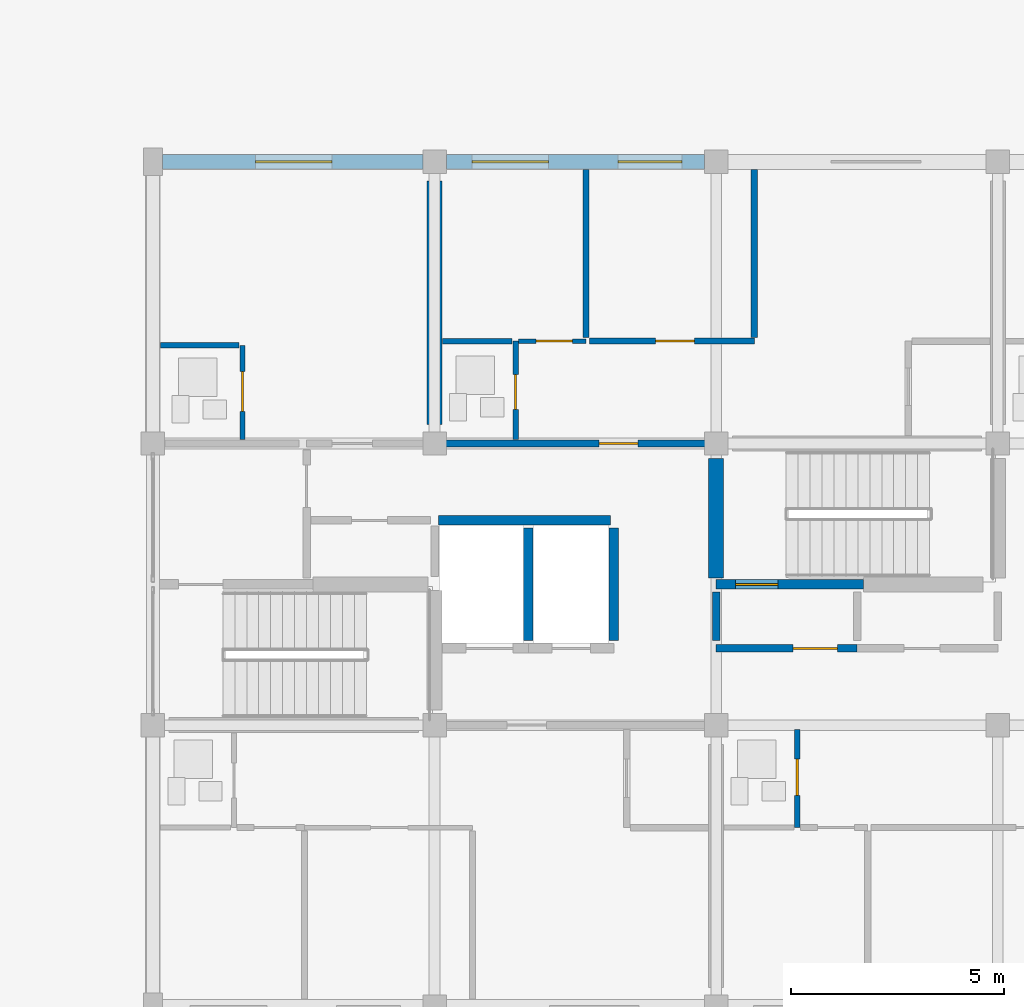
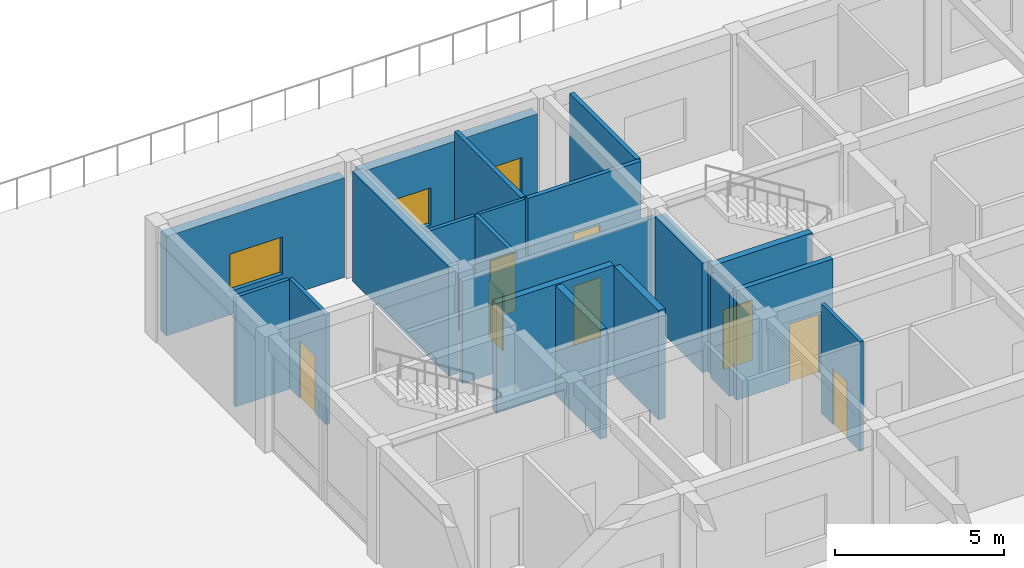
# One storey, part 76 of 92: 20 walls, 8 doors, 3 windows, 11 openings.
"""IFC4 building model written with IfcOpenShell, lengths in metres."""

from ifc_helpers import new_model, si_unit, direction, frame, frame_2d, origin, place, context, subcontext, project, spatial, rectangle, extrude, material, layer, layer_set, type_object, element, fill, save


model = new_model("IFC4")

# Units and contexts
model_context = context("Model", 3, precision=1e-05, world=origin(), true_north=direction((0.0, 1.0)))
body_context = subcontext(model_context, "Body", "Model", "MODEL_VIEW")
ifc_project = project(units=[si_unit("LENGTHUNIT", "METRE"), si_unit("AREAUNIT", "SQUARE_METRE"), si_unit("VOLUMEUNIT", "CUBIC_METRE"), si_unit("PLANEANGLEUNIT", "RADIAN"), si_unit("MASSUNIT", "GRAM", prefix="KILO")], contexts=[model_context])

# Site, building, storey
site_placement = place(None, origin())
site = spatial("IfcSite", under=ifc_project, at=site_placement, CompositionType="ELEMENT")
building_placement = place(site_placement, origin())
building = spatial("IfcBuilding", under=site, at=building_placement, Name="Kernevlak Ridge Housing Community", CompositionType="ELEMENT")
storey_placement = place(building_placement, frame((0.0, 0.0, 4.199951171875)))
storey = spatial("IfcBuildingStorey", under=building, at=storey_placement, Name="L01", CompositionType="ELEMENT", Elevation=4.199951171875)

# Wall, opening, window
ifc_material_1 = material(Name="Concrete block masonry M10", Category="masonry")
ifc_layer_1 = layer(ifc_material_1, 0.340087890625, Name="Concrete block masonry M10")
ifc_layer_set_1 = layer_set([ifc_layer_1], Name="Concrete block masonry M10")
wall_type_1 = type_object("IfcWallType", Name="EW-04", PredefinedType="STANDARD", material=ifc_layer_set_1)
wall_1_placement = place(storey_placement, frame((119.625, 102.39990234375, 0.0), z_axis=(0.0, 0.0, 1.0), x_axis=(1.0, 0.0, 0.0)))
wall_1 = element("IfcWall", 1, at=wall_1_placement, inside=storey, type_object=wall_type_1, Name="Exterior wall EW-04 L01 314", PredefinedType="STANDARD", context=body_context, shape_type="SweptSolid", body=[
    extrude(rectangle(XDim=6.10009765625, YDim=0.340087890625, at=frame_2d((3.050048828125, 0.0))), origin(), (0.0, 0.0, 1.0), 3.60009765625),
])
opening_1_placement = place(wall_1_placement, frame((2.175048828125, 0.0, 0.85009765625)))
opening_1 = element("IfcOpeningElement", 2, at=opening_1_placement, cuts=wall_1, Name="Opening WT-03", PredefinedType="OPENING", context=body_context, shape_type="SweptSolid", body=[
    extrude(rectangle(XDim=1.800048828125, YDim=1.35009765625, at=frame_2d((0.89990234375, 0.675048828125))), frame((0.0, 0.179931640625, 0.0), z_axis=(0.0, -1.0, 0.0), x_axis=(1.0, 0.0, 0.0)), (0.0, 0.0, 1.0), 0.360107421875),
])
ifc_material_2 = material(Name="Aluminium EN AW-6060 anodised and laminated glass", Category="aluminium")
window_type_1 = type_object("IfcWindowType", Name="WT-03", PartitioningType="SINGLE_PANEL", PredefinedType="WINDOW", material=ifc_material_2)
window_1_placement = place(opening_1_placement, origin())
window_1 = element("IfcWindow", 3, at=window_1_placement, inside=storey, type_object=window_type_1, Name="Window WT-03 L01 242", OverallHeight=1.35009765625, OverallWidth=1.800048828125, PartitioningType="SINGLE_PANEL", PredefinedType="WINDOW", context=body_context, shape_type="SweptSolid", body=[
    extrude(rectangle(XDim=1.800048828125, YDim=1.35009765625, at=frame_2d((0.89990234375, 0.675048828125))), frame((0.0, 0.030029296875, 0.0), z_axis=(0.0, -1.0, 0.0), x_axis=(1.0, 0.0, 0.0)), (0.0, 0.0, 1.0), 0.06005859375),
])
fill(opening_1, window_1)

# Wall, openings, windows
wall_2_placement = place(storey_placement, frame((126.27490234375, 102.39990234375, 0.0), z_axis=(0.0, 0.0, 1.0), x_axis=(1.0, 0.0, 0.0)))
wall_2 = element("IfcWall", 4, at=wall_2_placement, inside=storey, type_object=wall_type_1, Name="Exterior wall EW-04 L01 315", PredefinedType="STANDARD", context=body_context, shape_type="SweptSolid", body=[
    extrude(rectangle(XDim=6.050048828125, YDim=0.340087890625, at=frame_2d((3.02490234375, 0.0))), origin(), (0.0, 0.0, 1.0), 3.60009765625),
])
opening_2_placement = place(wall_2_placement, frame((0.60009765625, 0.0, 0.85009765625)))
opening_2 = element("IfcOpeningElement", 5, at=opening_2_placement, cuts=wall_2, Name="Opening WT-03", PredefinedType="OPENING", context=body_context, shape_type="SweptSolid", body=[
    extrude(rectangle(XDim=1.800048828125, YDim=1.35009765625, at=frame_2d((0.89990234375, 0.675048828125))), frame((0.0, 0.179931640625, 0.0), z_axis=(0.0, -1.0, 0.0), x_axis=(1.0, 0.0, 0.0)), (0.0, 0.0, 1.0), 0.360107421875),
])
opening_3_placement = place(wall_2_placement, frame((4.02490234375, 0.0, 0.85009765625)))
opening_3 = element("IfcOpeningElement", 6, at=opening_3_placement, cuts=wall_2, Name="Opening WT-02", PredefinedType="OPENING", context=body_context, shape_type="SweptSolid", body=[
    extrude(rectangle(XDim=1.5, YDim=1.35009765625, at=frame_2d((0.75, 0.675048828125))), frame((0.0, 0.179931640625, 0.0), z_axis=(0.0, -1.0, 0.0), x_axis=(1.0, 0.0, 0.0)), (0.0, 0.0, 1.0), 0.360107421875),
])
window_type_2 = type_object("IfcWindowType", Name="WT-02", PartitioningType="SINGLE_PANEL", PredefinedType="WINDOW", material=ifc_material_2)
window_2_placement = place(opening_3_placement, origin())
window_2 = element("IfcWindow", 7, at=window_2_placement, inside=storey, type_object=window_type_2, Name="Window WT-02 L01 244", OverallHeight=1.35009765625, OverallWidth=1.5, PartitioningType="SINGLE_PANEL", PredefinedType="WINDOW", context=body_context, shape_type="SweptSolid", body=[
    extrude(rectangle(XDim=1.5, YDim=1.35009765625, at=frame_2d((0.75, 0.675048828125))), frame((0.0, 0.030029296875, 0.0), z_axis=(0.0, -1.0, 0.0), x_axis=(1.0, 0.0, 0.0)), (0.0, 0.0, 1.0), 0.06005859375),
])
fill(opening_3, window_2)
window_3_placement = place(opening_2_placement, origin())
window_3 = element("IfcWindow", 8, at=window_3_placement, inside=storey, type_object=window_type_1, Name="Window WT-03 L01 243", OverallHeight=1.35009765625, OverallWidth=1.800048828125, PartitioningType="SINGLE_PANEL", PredefinedType="WINDOW", context=body_context, shape_type="SweptSolid", body=[
    extrude(rectangle(XDim=1.800048828125, YDim=1.35009765625, at=frame_2d((0.89990234375, 0.675048828125))), frame((0.0, 0.030029296875, 0.0), z_axis=(0.0, -1.0, 0.0), x_axis=(1.0, 0.0, 0.0)), (0.0, 0.0, 1.0), 0.06005859375),
])
fill(opening_2, window_3)

# Walls
ifc_material_3 = material(Name="Concrete C35/45", Category="concrete")
ifc_layer_2 = layer(ifc_material_3, 0.22509765625, Name="Concrete C35/45")
ifc_layer_set_2 = layer_set([ifc_layer_2], Name="Concrete C35/45")
wall_type_2 = type_object("IfcWallType", Name="PW-01", PredefinedType="STANDARD", material=ifc_layer_set_2)
wall_3_placement = place(storey_placement, frame((126.097412109375, 94.0, 0.0), z_axis=(0.0, 0.0, 1.0), x_axis=(1.0, 0.0, 0.0)))
element("IfcWall", 9, at=wall_3_placement, inside=storey, type_object=wall_type_2, Name="Interior wall PW-01 WAL-INT-L01-1214", PredefinedType="STANDARD", context=body_context, shape_type="SweptSolid", body=[
    extrude(rectangle(XDim=4.022705078125, YDim=0.22509765625, at=frame_2d((2.01123046875, 0.0))), origin(), (0.0, 0.0, 1.0), 3.9599609375),
])
for number, where, z_axis, x_axis, name in (
    (10, (128.199951171875, 91.179931640625, 0.0), (0.0, 0.0, 1.0), (0.0, 1.0, 0.0), "Interior wall PW-01 WAL-INT-L01-1216"),
    (11, (130.199951171875, 91.179931640625, 0.0), (0.0, 0.0, 1.0), (0.0, 1.0, 0.0), "Interior wall PW-01 WAL-INT-L01-1217"),
):
    element("IfcWall", number, at=place(storey_placement, frame(where, z_axis=z_axis, x_axis=x_axis)), inside=storey, type_object=wall_type_2, Name=name, PredefinedType="STANDARD", context=body_context, shape_type="SweptSolid", body=[
        extrude(rectangle(XDim=2.64013671875, YDim=0.22509765625, at=frame_2d((1.320068359375, 0.0))), origin(), (0.0, 0.0, 1.0), 3.9599609375),
    ])

# Wall, opening, door
wall_4_placement = place(storey_placement, frame((132.60009765625, 92.5, 0.0), z_axis=(0.0, 0.0, 1.0), x_axis=(1.0, 0.0, 0.0)))
wall_4 = element("IfcWall", 12, at=wall_4_placement, inside=storey, type_object=wall_type_2, Name="Interior wall PW-01 WAL-INT-L01-1218", PredefinedType="STANDARD", context=body_context, shape_type="SweptSolid", body=[
    extrude(rectangle(XDim=3.449951171875, YDim=0.22509765625, at=frame_2d((1.72509765625, 0.0))), origin(), (0.0, 0.0, 1.0), 3.9599609375),
])
opening_4_placement = place(wall_4_placement, frame((0.449951171875, 0.0, 0.0)))
opening_4 = element("IfcOpeningElement", 13, at=opening_4_placement, cuts=wall_4, Name="Opening D615", PredefinedType="OPENING", context=body_context, shape_type="SweptSolid", body=[
    extrude(rectangle(XDim=1.0, YDim=2.159912109375, at=frame_2d((0.5, 1.080078125))), frame((0.0, 0.12255859375, 0.0), z_axis=(0.0, -1.0, 0.0), x_axis=(1.0, 0.0, 0.0)), (0.0, 0.0, 1.0), 0.2451171875),
])
ifc_material_4 = material(Name="Fire-rated sheet steel leaf", Category="steel")
door_type_1 = type_object("IfcDoorType", Name="DT-15", OperationType="NOTDEFINED", PredefinedType="DOOR", material=ifc_material_4)
door_1_placement = place(opening_4_placement, origin())
door_1 = element("IfcDoor", 14, at=door_1_placement, inside=storey, type_object=door_type_1, Name="Block B Stair 2 fire door D615", OperationType="SINGLE_SWING_LEFT", OverallHeight=2.159912109375, OverallWidth=1.0, PredefinedType="DOOR", context=body_context, shape_type="SweptSolid", body=[
    extrude(rectangle(XDim=1.0, YDim=2.159912109375, at=frame_2d((0.5, 1.080078125))), frame((0.0, 0.02490234375, 0.0), z_axis=(0.0, -1.0, 0.0), x_axis=(1.0, 0.0, 0.0)), (0.0, 0.0, 1.0), 0.050048828125),
])
fill(opening_4, door_1)

ifc_layer_3 = layer(ifc_material_1, 0.175048828125, Name="Concrete block masonry M10")
ifc_layer_set_3 = layer_set([ifc_layer_3], Name="Concrete block masonry M10")
wall_type_3 = type_object("IfcWallType", Name="PW-02", PredefinedType="PARTITIONING", material=ifc_layer_set_3)
wall_5_placement = place(storey_placement, frame((132.60009765625, 91.0, 0.0), z_axis=(0.0, 0.0, 1.0), x_axis=(1.0, 0.0, 0.0)))
wall_5 = element("IfcWall", 15, at=wall_5_placement, inside=storey, type_object=wall_type_3, Name="Interior wall PW-02 WAL-INT-L01-1219", PredefinedType="PARTITIONING", context=body_context, shape_type="SweptSolid", body=[
    extrude(rectangle(XDim=3.2998046875, YDim=0.175048828125, at=frame_2d((1.64990234375, 0.0))), origin(), (0.0, 0.0, 1.0), 3.9599609375),
])
opening_5_placement = place(wall_5_placement, frame((1.800048828125, 0.0, 0.0)))
opening_5 = element("IfcOpeningElement", 16, at=opening_5_placement, cuts=wall_5, Name="Opening D616", PredefinedType="OPENING", context=body_context, shape_type="SweptSolid", body=[
    extrude(rectangle(XDim=1.0400390625, YDim=2.1201171875, at=frame_2d((0.52001953125, 1.06005859375))), frame((0.0, 0.097412109375, 0.0), z_axis=(0.0, -1.0, 0.0), x_axis=(1.0, 0.0, 0.0)), (0.0, 0.0, 1.0), 0.195068359375),
])
door_type_2 = type_object("IfcDoorType", Name="DT-16", OperationType="NOTDEFINED", PredefinedType="DOOR", material=ifc_material_4)
door_2_placement = place(opening_5_placement, origin())
door_2 = element("IfcDoor", 17, at=door_2_placement, inside=storey, type_object=door_type_2, Name="Block B Firefighting lobby 2 door D616", OperationType="SINGLE_SWING_RIGHT", OverallHeight=2.1201171875, OverallWidth=1.0400390625, PredefinedType="DOOR", context=body_context, shape_type="SweptSolid", body=[
    extrude(rectangle(XDim=1.0400390625, YDim=2.1201171875, at=frame_2d((0.52001953125, 1.06005859375))), frame((0.0, 0.02490234375, 0.0), z_axis=(0.0, -1.0, 0.0), x_axis=(1.0, 0.0, 0.0)), (0.0, 0.0, 1.0), 0.050048828125),
])
fill(opening_5, door_2)

# Wall
wall_6_placement = place(storey_placement, frame((132.60009765625, 91.179931640625, 0.0), z_axis=(0.0, 0.0, 1.0), x_axis=(0.0, 1.0, 0.0)))
element("IfcWall", 18, at=wall_6_placement, inside=storey, type_object=wall_type_3, Name="Interior wall PW-02 WAL-INT-L01-1221", PredefinedType="PARTITIONING", context=body_context, shape_type="SweptSolid", body=[
    extrude(rectangle(XDim=1.14013671875, YDim=0.175048828125, at=frame_2d((0.570068359375, 0.0))), origin(), (0.0, 0.0, 1.0), 3.75),
])

# Wall, opening, door
wall_7_placement = place(storey_placement, frame((126.0, 95.800048828125, 0.0), z_axis=(0.0, 0.0, 1.0), x_axis=(1.0, 0.0, 0.0)))
wall_7 = element("IfcWall", 19, at=wall_7_placement, inside=storey, type_object=wall_type_3, Name="Interior wall PW-02 WAL-INT-L01-1251", PredefinedType="PARTITIONING", context=body_context, shape_type="SweptSolid", body=[
    extrude(rectangle(XDim=6.60009765625, YDim=0.175048828125, at=frame_2d((3.300048828125, 0.0))), origin(), (0.0, 0.0, 1.0), 3.699951171875),
])
opening_6_placement = place(wall_7_placement, frame((3.85009765625, 0.0, 0.0)))
opening_6 = element("IfcOpeningElement", 20, at=opening_6_placement, cuts=wall_7, Name="Opening D632", PredefinedType="OPENING", context=body_context, shape_type="SweptSolid", body=[
    extrude(rectangle(XDim=0.919921875, YDim=2.139892578125, at=frame_2d((0.4599609375, 1.06982421875))), frame((0.0, 0.097412109375, 0.0), z_axis=(0.0, -1.0, 0.0), x_axis=(1.0, 0.0, 0.0)), (0.0, 0.0, 1.0), 0.195068359375),
])
ifc_material_5 = material(Name="Hardwood timber solid-core fire leaf", Category="wood")
door_type_3 = type_object("IfcDoorType", Name="DT-20", OperationType="NOTDEFINED", PredefinedType="DOOR", material=ifc_material_5)
door_3_placement = place(opening_6_placement, origin())
door_3 = element("IfcDoor", 21, at=door_3_placement, inside=storey, type_object=door_type_3, Name="Flat B0122 entrance fire door D632", OperationType="SINGLE_SWING_RIGHT", OverallHeight=2.139892578125, OverallWidth=0.919921875, PredefinedType="DOOR", context=body_context, shape_type="SweptSolid", body=[
    extrude(rectangle(XDim=0.919921875, YDim=2.139892578125, at=frame_2d((0.4599609375, 1.06982421875))), frame((0.0, 0.02490234375, 0.0), z_axis=(0.0, -1.0, 0.0), x_axis=(1.0, 0.0, 0.0)), (0.0, 0.0, 1.0), 0.050048828125),
])
fill(opening_6, door_3)

# Wall
ifc_layer_4 = layer(ifc_material_1, 0.14501953125, Name="Concrete block masonry M10")
ifc_layer_set_4 = layer_set([ifc_layer_4], Name="Concrete block masonry M10")
wall_type_4 = type_object("IfcWallType", Name="PW-03", PredefinedType="PARTITIONING", material=ifc_layer_set_4)
wall_8_placement = place(storey_placement, frame((129.550048828125, 98.280029296875, 0.0), z_axis=(0.0, 0.0, 1.0), x_axis=(0.0, 1.0, 0.0)))
element("IfcWall", 22, at=wall_8_placement, inside=storey, type_object=wall_type_4, Name="Interior wall PW-03 WAL-INT-L01-1257", PredefinedType="PARTITIONING", context=body_context, shape_type="SweptSolid", body=[
    extrude(rectangle(XDim=3.93994140625, YDim=0.14501953125, at=frame_2d((1.969970703125, 0.0))), origin(), (0.0, 0.0, 1.0), 3.9599609375),
])

# Wall, opening, door
wall_9_placement = place(storey_placement, frame((129.632568359375, 98.199951171875, 0.0), z_axis=(0.0, 0.0, 1.0), x_axis=(1.0, 0.0, 0.0)))
wall_9 = element("IfcWall", 23, at=wall_9_placement, inside=storey, type_object=wall_type_4, Name="Interior wall PW-03 WAL-INT-L01-1258", PredefinedType="PARTITIONING", context=body_context, shape_type="SweptSolid", body=[
    extrude(rectangle(XDim=3.859375, YDim=0.14501953125, at=frame_2d((1.9296875, 0.0))), origin(), (0.0, 0.0, 1.0), 3.9599609375),
])
opening_7_placement = place(wall_9_placement, frame((1.5458984375, 0.0, 0.0)))
opening_7 = element("IfcOpeningElement", 24, at=opening_7_placement, cuts=wall_9, Name="Opening D636", PredefinedType="OPENING", context=body_context, shape_type="SweptSolid", body=[
    extrude(rectangle(XDim=0.909912109375, YDim=2.139892578125, at=frame_2d((0.455078125, 1.06982421875))), frame((0.0, 0.08251953125, 0.0), z_axis=(0.0, -1.0, 0.0), x_axis=(1.0, 0.0, 0.0)), (0.0, 0.0, 1.0), 0.1650390625),
])
ifc_material_6 = material(Name="Hardwood timber leaf", Category="wood")
door_type_4 = type_object("IfcDoorType", Name="DT-31", OperationType="NOTDEFINED", PredefinedType="DOOR", material=ifc_material_6)
door_4_placement = place(opening_7_placement, origin())
door_4 = element("IfcDoor", 25, at=door_4_placement, inside=storey, type_object=door_type_4, Name="Flat B0122 bedroom door D636", OperationType="SINGLE_SWING_RIGHT", OverallHeight=2.139892578125, OverallWidth=0.909912109375, PredefinedType="DOOR", context=body_context, shape_type="SweptSolid", body=[
    extrude(rectangle(XDim=0.909912109375, YDim=2.139892578125, at=frame_2d((0.455078125, 1.06982421875))), frame((0.0, 0.02490234375, 0.0), z_axis=(0.0, -1.0, 0.0), x_axis=(1.0, 0.0, 0.0)), (0.0, 0.0, 1.0), 0.050048828125),
])
fill(opening_7, door_4)

# Wall
wall_10_placement = place(storey_placement, frame((133.491943359375, 98.282470703125, 0.0), z_axis=(0.0, 0.0, 1.0), x_axis=(0.0, 1.0, 0.0)))
element("IfcWall", 26, at=wall_10_placement, inside=storey, type_object=wall_type_4, Name="Interior wall PW-03 WAL-INT-L01-1259", PredefinedType="PARTITIONING", context=body_context, shape_type="SweptSolid", body=[
    extrude(rectangle(XDim=3.9375, YDim=0.14501953125, at=frame_2d((1.96875, 0.0))), origin(), (0.0, 0.0, 1.0), 3.9599609375),
])

# Wall, opening, door
ifc_material_7 = material(Name="Gypsum plasterboard EN 520", Category="gypsum")
ifc_layer_5 = layer(ifc_material_7, 0.125, Name="Gypsum plasterboard EN 520")
ifc_layer_set_5 = layer_set([ifc_layer_5], Name="Gypsum plasterboard EN 520")
wall_type_5 = type_object("IfcWallType", Name="PW-04", PredefinedType="PARTITIONING", material=ifc_layer_set_5)
wall_11_placement = place(storey_placement, frame((134.5, 89.1025390625, 0.0), z_axis=(0.0, 0.0, 1.0), x_axis=(0.0, -1.0, 0.0)))
wall_11 = element("IfcWall", 27, at=wall_11_placement, inside=storey, type_object=wall_type_5, Name="Interior wall PW-04 WAL-INT-L01-1239", PredefinedType="PARTITIONING", context=body_context, shape_type="SweptSolid", body=[
    extrude(rectangle(XDim=2.302490234375, YDim=0.125, at=frame_2d((1.1513671875, 0.0))), origin(), (0.0, 0.0, 1.0), 3.9599609375),
])
opening_8_placement = place(wall_11_placement, frame((0.699951171875, 0.0, 0.0)))
opening_8 = element("IfcOpeningElement", 28, at=opening_8_placement, cuts=wall_11, Name="Opening D626", PredefinedType="OPENING", context=body_context, shape_type="SweptSolid", body=[
    extrude(rectangle(XDim=0.85009765625, YDim=2.0400390625, at=frame_2d((0.425048828125, 1.02001953125))), frame((0.0, 0.072509765625, 0.0), z_axis=(0.0, -1.0, 0.0), x_axis=(1.0, 0.0, 0.0)), (0.0, 0.0, 1.0), 0.14501953125),
])
ifc_material_8 = material(Name="Hardwood timber moisture-resistant leaf", Category="wood")
door_type_5 = type_object("IfcDoorType", Name="DT-04", OperationType="NOTDEFINED", PredefinedType="DOOR", material=ifc_material_8)
door_5_placement = place(opening_8_placement, origin())
door_5 = element("IfcDoor", 29, at=door_5_placement, inside=storey, type_object=door_type_5, Name="Flat B0112 bathroom door D626", OperationType="SINGLE_SWING_RIGHT", OverallHeight=2.0400390625, OverallWidth=0.85009765625, PredefinedType="DOOR", context=body_context, shape_type="SweptSolid", body=[
    extrude(rectangle(XDim=0.85009765625, YDim=2.0400390625, at=frame_2d((0.425048828125, 1.02001953125))), frame((0.0, 0.02490234375, 0.0), z_axis=(0.0, -1.0, 0.0), x_axis=(1.0, 0.0, 0.0)), (0.0, 0.0, 1.0), 0.050048828125),
])
fill(opening_8, door_5)

wall_12_placement = place(storey_placement, frame((121.5, 95.8974609375, 0.0), z_axis=(0.0, 0.0, 1.0), x_axis=(0.0, 1.0, 0.0)))
wall_12 = element("IfcWall", 30, at=wall_12_placement, inside=storey, type_object=wall_type_5, Name="Interior wall PW-04 WAL-INT-L01-1249", PredefinedType="PARTITIONING", context=body_context, shape_type="SweptSolid", body=[
    extrude(rectangle(XDim=2.20263671875, YDim=0.125, at=frame_2d((1.101318359375, 0.0))), origin(), (0.0, 0.0, 1.0), 3.9599609375),
])
opening_9_placement = place(wall_12_placement, frame((0.64990234375, 0.0, 0.0)))
opening_9 = element("IfcOpeningElement", 31, at=opening_9_placement, cuts=wall_12, Name="Opening D631", PredefinedType="OPENING", context=body_context, shape_type="SweptSolid", body=[
    extrude(rectangle(XDim=0.93994140625, YDim=2.080078125, at=frame_2d((0.469970703125, 1.0400390625))), frame((0.0, 0.072509765625, 0.0), z_axis=(0.0, -1.0, 0.0), x_axis=(1.0, 0.0, 0.0)), (0.0, 0.0, 1.0), 0.14501953125),
])
door_type_6 = type_object("IfcDoorType", Name="DT-23", OperationType="NOTDEFINED", PredefinedType="DOOR", material=ifc_material_8)
door_6_placement = place(opening_9_placement, origin())
door_6 = element("IfcDoor", 32, at=door_6_placement, inside=storey, type_object=door_type_6, Name="Flat B0121 bathroom door D631", OperationType="SINGLE_SWING_LEFT", OverallHeight=2.080078125, OverallWidth=0.93994140625, PredefinedType="DOOR", context=body_context, shape_type="SweptSolid", body=[
    extrude(rectangle(XDim=0.93994140625, YDim=2.080078125, at=frame_2d((0.469970703125, 1.0400390625))), frame((0.0, 0.02490234375, 0.0), z_axis=(0.0, -1.0, 0.0), x_axis=(1.0, 0.0, 0.0)), (0.0, 0.0, 1.0), 0.050048828125),
])
fill(opening_9, door_6)

# Wall
wall_13_placement = place(storey_placement, frame((119.580078125, 98.10009765625, 0.0), z_axis=(0.0, 0.0, 1.0), x_axis=(1.0, 0.0, 0.0)))
element("IfcWall", 33, at=wall_13_placement, inside=storey, type_object=wall_type_5, Name="Interior wall PW-04 WAL-INT-L01-1250", PredefinedType="PARTITIONING", context=body_context, shape_type="SweptSolid", body=[
    extrude(rectangle(XDim=1.83984375, YDim=0.125, at=frame_2d((0.919921875, 0.0))), origin(), (0.0, 0.0, 1.0), 3.9599609375),
])

# Wall, opening, door
wall_14_placement = place(storey_placement, frame((127.89990234375, 95.8974609375, 0.0), z_axis=(0.0, 0.0, 1.0), x_axis=(0.0, 1.0, 0.0)))
wall_14 = element("IfcWall", 34, at=wall_14_placement, inside=storey, type_object=wall_type_5, Name="Interior wall PW-04 WAL-INT-L01-1252", PredefinedType="PARTITIONING", context=body_context, shape_type="SweptSolid", body=[
    extrude(rectangle(XDim=2.302490234375, YDim=0.125, at=frame_2d((1.1513671875, 0.0))), origin(), (0.0, 0.0, 1.0), 3.9599609375),
])
opening_10_placement = place(wall_14_placement, frame((0.699951171875, 0.0, 0.0)))
opening_10 = element("IfcOpeningElement", 35, at=opening_10_placement, cuts=wall_14, Name="Opening D633", PredefinedType="OPENING", context=body_context, shape_type="SweptSolid", body=[
    extrude(rectangle(XDim=0.820068359375, YDim=2.050048828125, at=frame_2d((0.41015625, 1.02490234375))), frame((0.0, 0.072509765625, 0.0), z_axis=(0.0, -1.0, 0.0), x_axis=(1.0, 0.0, 0.0)), (0.0, 0.0, 1.0), 0.14501953125),
])
door_type_7 = type_object("IfcDoorType", Name="DT-30", OperationType="NOTDEFINED", PredefinedType="DOOR", material=ifc_material_8)
door_7_placement = place(opening_10_placement, origin())
door_7 = element("IfcDoor", 36, at=door_7_placement, inside=storey, type_object=door_type_7, Name="Flat B0122 bathroom door D633", OperationType="SINGLE_SWING_LEFT", OverallHeight=2.050048828125, OverallWidth=0.820068359375, PredefinedType="DOOR", context=body_context, shape_type="SweptSolid", body=[
    extrude(rectangle(XDim=0.820068359375, YDim=2.050048828125, at=frame_2d((0.41015625, 1.02490234375))), frame((0.0, 0.02490234375, 0.0), z_axis=(0.0, -1.0, 0.0), x_axis=(1.0, 0.0, 0.0)), (0.0, 0.0, 1.0), 0.050048828125),
])
fill(opening_10, door_7)

# Wall
wall_15_placement = place(storey_placement, frame((126.18505859375, 98.199951171875, 0.0), z_axis=(0.0, 0.0, 1.0), x_axis=(1.0, 0.0, 0.0)))
element("IfcWall", 37, at=wall_15_placement, inside=storey, type_object=wall_type_5, Name="Interior wall PW-04 WAL-INT-L01-1253", PredefinedType="PARTITIONING", context=body_context, shape_type="SweptSolid", body=[
    extrude(rectangle(XDim=1.635009765625, YDim=0.125, at=frame_2d((0.8173828125, 0.0))), origin(), (0.0, 0.0, 1.0), 3.9599609375),
])

# Wall, opening, door
ifc_layer_6 = layer(ifc_material_7, 0.10498046875, Name="Gypsum plasterboard EN 520")
ifc_layer_set_6 = layer_set([ifc_layer_6], Name="Gypsum plasterboard EN 520")
wall_type_6 = type_object("IfcWallType", Name="PW-06", PredefinedType="PARTITIONING", material=ifc_layer_set_6)
wall_16_placement = place(storey_placement, frame((127.972412109375, 98.199951171875, 0.0), z_axis=(0.0, 0.0, 1.0), x_axis=(1.0, 0.0, 0.0)))
wall_16 = element("IfcWall", 38, at=wall_16_placement, inside=storey, type_object=wall_type_6, Name="Interior wall PW-06 WAL-INT-L01-1256", PredefinedType="PARTITIONING", context=body_context, shape_type="SweptSolid", body=[
    extrude(rectangle(XDim=1.57763671875, YDim=0.10498046875, at=frame_2d((0.788818359375, 0.0))), origin(), (0.0, 0.0, 1.0), 3.9599609375),
])
opening_11_placement = place(wall_16_placement, frame((0.39990234375, 0.0, 0.0)))
opening_11 = element("IfcOpeningElement", 39, at=opening_11_placement, cuts=wall_16, Name="Opening D635", PredefinedType="OPENING", context=body_context, shape_type="SweptSolid", body=[
    extrude(rectangle(XDim=0.860107421875, YDim=2.1201171875, at=frame_2d((0.43017578125, 1.06005859375))), frame((0.0, 0.0625, 0.0), z_axis=(0.0, -1.0, 0.0), x_axis=(1.0, 0.0, 0.0)), (0.0, 0.0, 1.0), 0.125),
])
door_type_8 = type_object("IfcDoorType", Name="DT-28", OperationType="NOTDEFINED", PredefinedType="DOOR", material=ifc_material_6)
door_8_placement = place(opening_11_placement, origin())
door_8 = element("IfcDoor", 40, at=door_8_placement, inside=storey, type_object=door_type_8, Name="Flat B0122 bedroom door D635", OperationType="SINGLE_SWING_LEFT", OverallHeight=2.1201171875, OverallWidth=0.860107421875, PredefinedType="DOOR", context=body_context, shape_type="SweptSolid", body=[
    extrude(rectangle(XDim=0.860107421875, YDim=2.1201171875, at=frame_2d((0.43017578125, 1.06005859375))), frame((0.0, 0.02490234375, 0.0), z_axis=(0.0, -1.0, 0.0), x_axis=(1.0, 0.0, 0.0)), (0.0, 0.0, 1.0), 0.050048828125),
])
fill(opening_11, door_8)

# Walls
ifc_material_9 = material(Name="Concrete C40/50", Category="concrete")
ifc_layer_7 = layer(ifc_material_9, 0.35009765625, Name="Concrete C40/50")
ifc_layer_set_7 = layer_set([ifc_layer_7], Name="Concrete C40/50")
wall_type_7 = type_object("IfcWallType", Name="SW-01", PredefinedType="SHEAR", material=ifc_layer_set_7)
wall_17_placement = place(storey_placement, frame((132.60009765625, 92.64990234375, 0.0), z_axis=(0.0, 0.0, 1.0), x_axis=(0.0, 1.0, 0.0)))
element("IfcWall", 41, at=wall_17_placement, inside=storey, type_object=wall_type_7, Name="Shear wall SW-01 Block B L01 226", PredefinedType="SHEAR", context=body_context, shape_type="SweptSolid", body=[
    extrude(rectangle(XDim=2.800048828125, YDim=0.35009765625, at=frame_2d((1.39990234375, 0.0))), origin(), (0.0, 0.0, 1.0), 3.9599609375),
])
wall_18_placement = place(storey_placement, frame((126.0, 96.25, 0.0), z_axis=(0.0, 0.0, 1.0), x_axis=(0.0, 1.0, 0.0)))
element("IfcWall", 42, at=wall_18_placement, inside=storey, type_object=wall_type_7, Name="Shear wall SW-01 Block B L01 229", PredefinedType="SHEAR", context=body_context, shape_type="SweptSolid", body=[
    extrude(rectangle(XDim=5.699951171875, YDim=0.35009765625, at=frame_2d((2.85009765625, 0.0))), origin(), (0.0, 0.0, 1.0), 3.9599609375),
])

save(model, "model.ifc")
